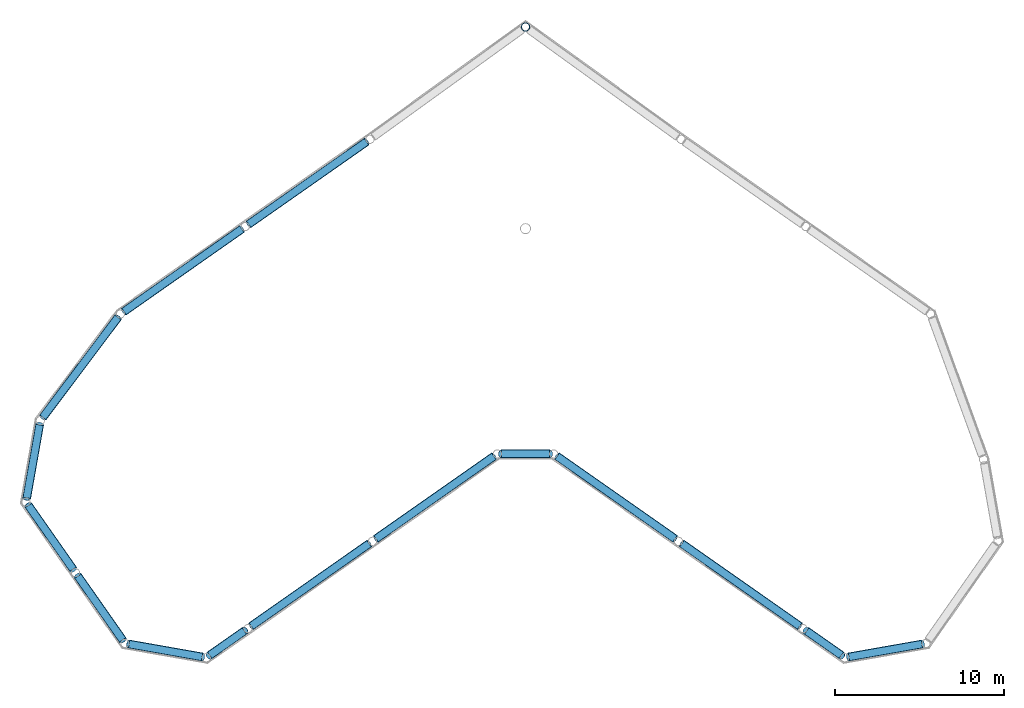
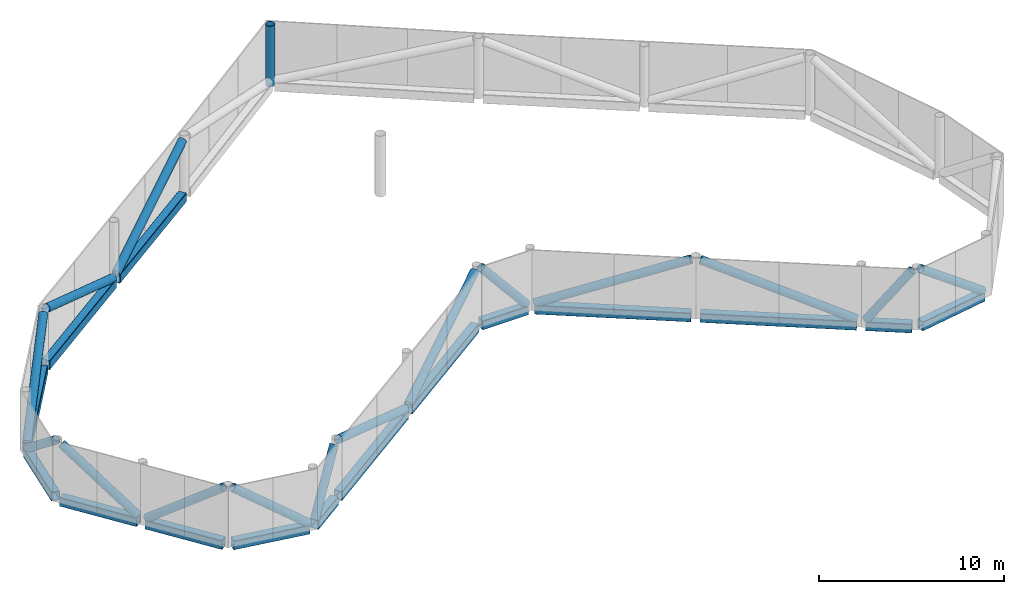
# One storey, part 2 of 4: 15 beams, 15 members, 1 column.
"""IFC4 building model written with IfcOpenShell, lengths in metres."""

from ifc_helpers import new_model, si_unit, direction, frame, origin, origin_2d, place, context, subcontext, project, spatial, hollow_rectangle, hollow_circle, extrude, material, material_profile, profile_set, type_object, element, save


model = new_model("IFC4")

# Units and contexts
model_context = context("Model", 3, precision=1e-05, world=origin(), true_north=direction((0.0, 1.0)))
body_context = subcontext(model_context, "Body", "Model", "MODEL_VIEW")
ifc_project = project(units=[si_unit("LENGTHUNIT", "METRE"), si_unit("AREAUNIT", "SQUARE_METRE"), si_unit("VOLUMEUNIT", "CUBIC_METRE"), si_unit("PLANEANGLEUNIT", "RADIAN"), si_unit("MASSUNIT", "GRAM", prefix="KILO")], contexts=[model_context])

# Site, building, storey
site_placement = place(None, origin())
site = spatial("IfcSite", under=ifc_project, at=site_placement, CompositionType="ELEMENT")
building_placement = place(site_placement, origin())
building = spatial("IfcBuilding", under=site, at=building_placement, Name="Tel Ilan Convention Tower", CompositionType="ELEMENT")
storey_placement = place(building_placement, frame((0.0, 0.0, 322.800048828125)))
storey = spatial("IfcBuildingStorey", under=building, at=storey_placement, Name="L76", CompositionType="ELEMENT", Elevation=322.800048828125)

# Column
ifc_material_1 = material(Name="Steel S355", Category="steel")
ifc_material_profile_1 = material_profile(ifc_material_1, hollow_circle(Radius=0.25390625, WallThickness=0.02490234375, at=origin_2d()), Name="CHS 508x25")
ifc_profile_set_1 = profile_set([ifc_material_profile_1], Name="Steel S355")
column_type = type_object("IfcColumnType", Name="CROWN FRAME COLUMN CHS 508x25", PredefinedType="COLUMN", material=ifc_profile_set_1)
column_placement = place(storey_placement, frame((0.0, 11.91796875, 0.0), z_axis=(0.0, 0.0, 1.0), x_axis=(1.0, 0.0, 0.0)))
element("IfcColumn", 1, at=column_placement, inside=storey, type_object=column_type, Name="CROWN FRAME column", PredefinedType="COLUMN", context=body_context, shape_type="SweptSolid", body=[
    extrude(hollow_circle(Radius=0.25390625, WallThickness=0.02490234375, at=origin_2d()), origin(), (0.0, 0.0, 1.0), 4.0),
])

# Members
ifc_material_2 = material(Name="Steel S355", Category="steel")
ifc_material_profile_2 = material_profile(ifc_material_2, hollow_circle(Radius=0.25390625, WallThickness=0.01611328125, at=origin_2d()), Name="CHS 508x16")
ifc_profile_set_2 = profile_set([ifc_material_profile_2], Name="Steel S355")
member_type = type_object("IfcMemberType", Name="CROWN FRAME BRACE CHS 508x16", PredefinedType="BRACE", material=ifc_profile_set_2)
member_1_placement = place(storey_placement, frame((-18.658935546875, -25.212158203125, 0.300048828125), z_axis=(0.484197231699, 0.339111817177, 0.806570651751), x_axis=(-0.573659598331, 0.819093807352, 0.0)))
element("IfcMember", 2, at=member_1_placement, inside=storey, type_object=member_type, Name="CROWN FRAME brace", PredefinedType="BRACE", context=body_context, shape_type="SweptSolid", body=[
    extrude(hollow_circle(Radius=0.25390625, WallThickness=0.01611328125, at=origin_2d()), origin(), (0.0, 0.0, 1.0), 4.21533203125),
])
member_2_placement = place(storey_placement, frame((-16.201904296875, -23.4912109375, 3.699951171875), z_axis=(0.760457085565, 0.532488114036, -0.371700725618), x_axis=(-0.573583902989, 0.819146816042, 0.0)))
element("IfcMember", 3, at=member_2_placement, inside=storey, type_object=member_type, Name="CROWN FRAME brace", PredefinedType="BRACE", context=body_context, shape_type="SweptSolid", body=[
    extrude(hollow_circle(Radius=0.25390625, WallThickness=0.01611328125, at=origin_2d()), origin(), (0.0, 0.0, 1.0), 9.14697265625),
])
member_3_placement = place(storey_placement, frame((-8.829833984375, -18.329345703125, 0.300048828125), z_axis=(0.760502103222, 0.532444883638, 0.37167054885), x_axis=(-0.57352987213, 0.819184646935, 0.0)))
element("IfcMember", 4, at=member_3_placement, inside=storey, type_object=member_type, Name="CROWN FRAME brace", PredefinedType="BRACE", context=body_context, shape_type="SweptSolid", body=[
    extrude(hollow_circle(Radius=0.25390625, WallThickness=0.01611328125, at=origin_2d()), origin(), (0.0, 0.0, 1.0), 9.147705078125),
])
member_4_placement = place(storey_placement, frame((-1.410888671875, -13.31298828125, 3.699951171875), z_axis=(0.6386504471, 0.0, -0.769496982723), x_axis=(0.0, 1.0, 0.0)))
element("IfcMember", 5, at=member_4_placement, inside=storey, type_object=member_type, Name="CROWN FRAME brace", PredefinedType="BRACE", context=body_context, shape_type="SweptSolid", body=[
    extrude(hollow_circle(Radius=0.25390625, WallThickness=0.01611328125, at=origin_2d()), origin(), (0.0, 0.0, 1.0), 4.41845703125),
])
member_5_placement = place(storey_placement, frame((1.873046875, -13.458740234375, 0.300048828125), z_axis=(0.760502103222, -0.532444883638, 0.37167054885), x_axis=(0.57352987213, 0.819184646935, 0.0)))
element("IfcMember", 6, at=member_5_placement, inside=storey, type_object=member_type, Name="CROWN FRAME brace", PredefinedType="BRACE", context=body_context, shape_type="SweptSolid", body=[
    extrude(hollow_circle(Radius=0.25390625, WallThickness=0.01611328125, at=origin_2d()), origin(), (0.0, 0.0, 1.0), 9.147705078125),
])
member_6_placement = place(storey_placement, frame((9.24609375, -18.62060546875, 3.699951171875), z_axis=(0.760457085565, -0.532488114036, -0.371700725618), x_axis=(0.573583902989, 0.819146816042, 0.0)))
element("IfcMember", 7, at=member_6_placement, inside=storey, type_object=member_type, Name="CROWN FRAME brace", PredefinedType="BRACE", context=body_context, shape_type="SweptSolid", body=[
    extrude(hollow_circle(Radius=0.25390625, WallThickness=0.01611328125, at=origin_2d()), origin(), (0.0, 0.0, 1.0), 9.14697265625),
])
member_7_placement = place(storey_placement, frame((16.617919921875, -23.78271484375, 0.300048828125), z_axis=(0.484197231699, -0.339111817177, 0.806570651751), x_axis=(0.573659598331, 0.819093807352, 0.0)))
element("IfcMember", 8, at=member_7_placement, inside=storey, type_object=member_type, Name="CROWN FRAME brace", PredefinedType="BRACE", context=body_context, shape_type="SweptSolid", body=[
    extrude(hollow_circle(Radius=0.25390625, WallThickness=0.01611328125, at=origin_2d()), origin(), (0.0, 0.0, 1.0), 4.21533203125),
])
member_8_placement = place(storey_placement, frame((19.1171875, -25.31396484375, 3.699951171875), z_axis=(0.777350873367, 0.137023962932, -0.613962582946), x_axis=(-0.173594152601, 0.984817277561, 0.0)))
element("IfcMember", 9, at=member_8_placement, inside=storey, type_object=member_type, Name="CROWN FRAME brace", PredefinedType="BRACE", context=body_context, shape_type="SweptSolid", body=[
    extrude(hollow_circle(Radius=0.25390625, WallThickness=0.01611328125, at=origin_2d()), origin(), (0.0, 0.0, 1.0), 5.53759765625),
])
member_9_placement = place(storey_placement, frame((-9.401123046875, 5.13720703125, 3.699951171875), z_axis=(-0.760457085565, -0.532488114036, -0.371700725618), x_axis=(0.573583902989, -0.819146816042, 0.0)))
element("IfcMember", 10, at=member_9_placement, inside=storey, type_object=member_type, Name="CROWN FRAME brace", PredefinedType="BRACE", context=body_context, shape_type="SweptSolid", body=[
    extrude(hollow_circle(Radius=0.25390625, WallThickness=0.01611328125, at=origin_2d()), origin(), (0.0, 0.0, 1.0), 9.14697265625),
])
member_10_placement = place(storey_placement, frame((-16.77294921875, -0.024658203125, 0.300048828125), z_axis=(-0.760425108847, -0.532553791307, 0.371672050604), x_axis=(0.573647554936, -0.819102241918, 0.0)))
element("IfcMember", 11, at=member_10_placement, inside=storey, type_object=member_type, Name="CROWN FRAME brace", PredefinedType="BRACE", context=body_context, shape_type="SweptSolid", body=[
    extrude(hollow_circle(Radius=0.25390625, WallThickness=0.01611328125, at=origin_2d()), origin(), (0.0, 0.0, 1.0), 9.147705078125),
])
member_11_placement = place(storey_placement, frame((-24.089599609375, -5.2451171875, 3.699951171875), z_axis=(-0.54556047467, -0.726192330526, -0.418340133818), x_axis=(0.799515545431, -0.600645396731, 0.0)))
element("IfcMember", 12, at=member_11_placement, inside=storey, type_object=member_type, Name="CROWN FRAME brace", PredefinedType="BRACE", context=body_context, shape_type="SweptSolid", body=[
    extrude(hollow_circle(Radius=0.25390625, WallThickness=0.01611328125, at=origin_2d()), origin(), (0.0, 0.0, 1.0), 8.127197265625),
])
member_12_placement = place(storey_placement, frame((-28.72021484375, -11.60009765625, 0.300048828125), z_axis=(-0.137023962932, -0.777350873367, 0.613962582946), x_axis=(0.984817277561, -0.173594152601, 0.0)))
element("IfcMember", 13, at=member_12_placement, inside=storey, type_object=member_type, Name="CROWN FRAME brace", PredefinedType="BRACE", context=body_context, shape_type="SweptSolid", body=[
    extrude(hollow_circle(Radius=0.25390625, WallThickness=0.01611328125, at=origin_2d()), origin(), (0.0, 0.0, 1.0), 5.53759765625),
])
member_13_placement = place(storey_placement, frame((-29.37744140625, -16.363037109375, 3.699951171875), z_axis=(0.460944959569, -0.658389032443, -0.59502405515), x_axis=(0.819189459192, 0.573522998622, 0.0)))
element("IfcMember", 14, at=member_13_placement, inside=storey, type_object=member_type, Name="CROWN FRAME brace", PredefinedType="BRACE", context=body_context, shape_type="SweptSolid", body=[
    extrude(hollow_circle(Radius=0.25390625, WallThickness=0.01611328125, at=origin_2d()), origin(), (0.0, 0.0, 1.0), 5.7138671875),
])
member_14_placement = place(storey_placement, frame((-26.452392578125, -20.541015625, 0.300048828125), z_axis=(0.461079540574, -0.658337160924, 0.594977175873), x_axis=(0.819089549842, 0.573665677324, 0.0)))
element("IfcMember", 15, at=member_14_placement, inside=storey, type_object=member_type, Name="CROWN FRAME brace", PredefinedType="BRACE", context=body_context, shape_type="SweptSolid", body=[
    extrude(hollow_circle(Radius=0.25390625, WallThickness=0.01611328125, at=origin_2d()), origin(), (0.0, 0.0, 1.0), 5.71435546875),
])
member_15_placement = place(storey_placement, frame((-23.421875, -24.55517578125, 3.699951171875), z_axis=(0.777350873367, -0.137023962932, -0.613962582946), x_axis=(0.173594152601, 0.984817277561, 0.0)))
element("IfcMember", 16, at=member_15_placement, inside=storey, type_object=member_type, Name="CROWN FRAME brace", PredefinedType="BRACE", context=body_context, shape_type="SweptSolid", body=[
    extrude(hollow_circle(Radius=0.25390625, WallThickness=0.01611328125, at=origin_2d()), origin(), (0.0, 0.0, 1.0), 5.53759765625),
])

# Beams
ifc_material_3 = material(Name="Steel S355", Category="steel")
ifc_material_profile_3 = material_profile(ifc_material_3, hollow_rectangle(XDim=0.5, YDim=0.60009765625, WallThickness=0.02490234375, InnerFilletRadius=0.02490234375, OuterFilletRadius=0.050048828125, at=origin_2d()), Name="RHS 600x500x25")
ifc_profile_set_3 = profile_set([ifc_material_profile_3], Name="Steel S355")
beam_type = type_object("IfcBeamType", Name="CROWN FRAME RING BEAM RHS 600x500x25", PredefinedType="BEAM", material=ifc_profile_set_3)
beam_1_placement = place(storey_placement, frame((-18.658935546875, -25.212158203125, 0.0), z_axis=(0.819093807352, 0.573659598331, 0.0), x_axis=(-0.573659598331, 0.819093807352, 0.0)))
element("IfcBeam", 17, at=beam_1_placement, inside=storey, type_object=beam_type, Name="CROWN FRAME ring beam", PredefinedType="BEAM", context=body_context, shape_type="SweptSolid", body=[
    extrude(hollow_rectangle(XDim=0.5, YDim=0.60009765625, WallThickness=0.02490234375, InnerFilletRadius=0.02490234375, OuterFilletRadius=0.050048828125, at=origin_2d()), origin(), (0.0, 0.0, 1.0), 2.49169921875),
])
beam_2_placement = place(storey_placement, frame((-16.201904296875, -23.4912109375, 0.0), z_axis=(0.819146816042, 0.573583902989, 0.0), x_axis=(-0.573583902989, 0.819146816042, 0.0)))
element("IfcBeam", 18, at=beam_2_placement, inside=storey, type_object=beam_type, Name="CROWN FRAME ring beam", PredefinedType="BEAM", context=body_context, shape_type="SweptSolid", body=[
    extrude(hollow_rectangle(XDim=0.5, YDim=0.60009765625, WallThickness=0.02490234375, InnerFilletRadius=0.02490234375, OuterFilletRadius=0.050048828125, at=origin_2d()), origin(), (0.0, 0.0, 1.0), 8.491455078125),
])
beam_3_placement = place(storey_placement, frame((-8.829833984375, -18.329345703125, 0.0), z_axis=(0.819184646935, 0.57352987213, 0.0), x_axis=(-0.57352987213, 0.819184646935, 0.0)))
element("IfcBeam", 19, at=beam_3_placement, inside=storey, type_object=beam_type, Name="CROWN FRAME ring beam", PredefinedType="BEAM", context=body_context, shape_type="SweptSolid", body=[
    extrude(hollow_rectangle(XDim=0.5, YDim=0.60009765625, WallThickness=0.02490234375, InnerFilletRadius=0.02490234375, OuterFilletRadius=0.050048828125, at=origin_2d()), origin(), (0.0, 0.0, 1.0), 8.492431640625),
])
beam_4_placement = place(storey_placement, frame((-1.410888671875, -13.31298828125, 0.0), z_axis=(1.0, 0.0, 0.0), x_axis=(0.0, 1.0, 0.0)))
element("IfcBeam", 20, at=beam_4_placement, inside=storey, type_object=beam_type, Name="CROWN FRAME ring beam", PredefinedType="BEAM", context=body_context, shape_type="SweptSolid", body=[
    extrude(hollow_rectangle(XDim=0.5, YDim=0.60009765625, WallThickness=0.02490234375, InnerFilletRadius=0.02490234375, OuterFilletRadius=0.050048828125, at=origin_2d()), origin(), (0.0, 0.0, 1.0), 2.82177734375),
])
beam_5_placement = place(storey_placement, frame((1.873046875, -13.458740234375, 0.0), z_axis=(0.819184646935, -0.57352987213, 0.0), x_axis=(0.57352987213, 0.819184646935, 0.0)))
element("IfcBeam", 21, at=beam_5_placement, inside=storey, type_object=beam_type, Name="CROWN FRAME ring beam", PredefinedType="BEAM", context=body_context, shape_type="SweptSolid", body=[
    extrude(hollow_rectangle(XDim=0.5, YDim=0.60009765625, WallThickness=0.02490234375, InnerFilletRadius=0.02490234375, OuterFilletRadius=0.050048828125, at=origin_2d()), origin(), (0.0, 0.0, 1.0), 8.492431640625),
])
beam_6_placement = place(storey_placement, frame((9.24609375, -18.62060546875, 0.0), z_axis=(0.819146816042, -0.573583902989, 0.0), x_axis=(0.573583902989, 0.819146816042, 0.0)))
element("IfcBeam", 22, at=beam_6_placement, inside=storey, type_object=beam_type, Name="CROWN FRAME ring beam", PredefinedType="BEAM", context=body_context, shape_type="SweptSolid", body=[
    extrude(hollow_rectangle(XDim=0.5, YDim=0.60009765625, WallThickness=0.02490234375, InnerFilletRadius=0.02490234375, OuterFilletRadius=0.050048828125, at=origin_2d()), origin(), (0.0, 0.0, 1.0), 8.491455078125),
])
beam_7_placement = place(storey_placement, frame((16.617919921875, -23.78271484375, 0.0), z_axis=(0.819093807352, -0.573659598331, 0.0), x_axis=(0.573659598331, 0.819093807352, 0.0)))
element("IfcBeam", 23, at=beam_7_placement, inside=storey, type_object=beam_type, Name="CROWN FRAME ring beam", PredefinedType="BEAM", context=body_context, shape_type="SweptSolid", body=[
    extrude(hollow_rectangle(XDim=0.5, YDim=0.60009765625, WallThickness=0.02490234375, InnerFilletRadius=0.02490234375, OuterFilletRadius=0.050048828125, at=origin_2d()), origin(), (0.0, 0.0, 1.0), 2.49169921875),
])
beam_8_placement = place(storey_placement, frame((19.1171875, -25.31396484375, 0.0), z_axis=(0.984817277561, 0.173594152601, 0.0), x_axis=(-0.173594152601, 0.984817277561, 0.0)))
element("IfcBeam", 24, at=beam_8_placement, inside=storey, type_object=beam_type, Name="CROWN FRAME ring beam", PredefinedType="BEAM", context=body_context, shape_type="SweptSolid", body=[
    extrude(hollow_rectangle(XDim=0.5, YDim=0.60009765625, WallThickness=0.02490234375, InnerFilletRadius=0.02490234375, OuterFilletRadius=0.050048828125, at=origin_2d()), origin(), (0.0, 0.0, 1.0), 4.37109375),
])
beam_9_placement = place(storey_placement, frame((-9.401123046875, 5.13720703125, 0.0), z_axis=(-0.819146816042, -0.573583902989, 0.0), x_axis=(0.573583902989, -0.819146816042, 0.0)))
element("IfcBeam", 25, at=beam_9_placement, inside=storey, type_object=beam_type, Name="CROWN FRAME ring beam", PredefinedType="BEAM", context=body_context, shape_type="SweptSolid", body=[
    extrude(hollow_rectangle(XDim=0.5, YDim=0.60009765625, WallThickness=0.02490234375, InnerFilletRadius=0.02490234375, OuterFilletRadius=0.050048828125, at=origin_2d()), origin(), (0.0, 0.0, 1.0), 8.491455078125),
])
beam_10_placement = place(storey_placement, frame((-16.77294921875, -0.024658203125, 0.0), z_axis=(-0.819102241918, -0.573647554936, 0.0), x_axis=(0.573647554936, -0.819102241918, 0.0)))
element("IfcBeam", 26, at=beam_10_placement, inside=storey, type_object=beam_type, Name="CROWN FRAME ring beam", PredefinedType="BEAM", context=body_context, shape_type="SweptSolid", body=[
    extrude(hollow_rectangle(XDim=0.5, YDim=0.60009765625, WallThickness=0.02490234375, InnerFilletRadius=0.02490234375, OuterFilletRadius=0.050048828125, at=origin_2d()), origin(), (0.0, 0.0, 1.0), 8.4921875),
])
beam_11_placement = place(storey_placement, frame((-24.089599609375, -5.2451171875, 0.0), z_axis=(-0.600645396731, -0.799515545431, 0.0), x_axis=(0.799515545431, -0.600645396731, 0.0)))
element("IfcBeam", 27, at=beam_11_placement, inside=storey, type_object=beam_type, Name="CROWN FRAME ring beam", PredefinedType="BEAM", context=body_context, shape_type="SweptSolid", body=[
    extrude(hollow_rectangle(XDim=0.5, YDim=0.60009765625, WallThickness=0.02490234375, InnerFilletRadius=0.02490234375, OuterFilletRadius=0.050048828125, at=origin_2d()), origin(), (0.0, 0.0, 1.0), 7.3818359375),
])
beam_12_placement = place(storey_placement, frame((-28.72021484375, -11.60009765625, 0.0), z_axis=(-0.173594152601, -0.984817277561, 0.0), x_axis=(0.984817277561, -0.173594152601, 0.0)))
element("IfcBeam", 28, at=beam_12_placement, inside=storey, type_object=beam_type, Name="CROWN FRAME ring beam", PredefinedType="BEAM", context=body_context, shape_type="SweptSolid", body=[
    extrude(hollow_rectangle(XDim=0.5, YDim=0.60009765625, WallThickness=0.02490234375, InnerFilletRadius=0.02490234375, OuterFilletRadius=0.050048828125, at=origin_2d()), origin(), (0.0, 0.0, 1.0), 4.37109375),
])
beam_13_placement = place(storey_placement, frame((-29.37744140625, -16.363037109375, 0.0), z_axis=(0.573522998622, -0.819189459192, 0.0), x_axis=(0.819189459192, 0.573522998622, 0.0)))
element("IfcBeam", 29, at=beam_13_placement, inside=storey, type_object=beam_type, Name="CROWN FRAME ring beam", PredefinedType="BEAM", context=body_context, shape_type="SweptSolid", body=[
    extrude(hollow_rectangle(XDim=0.5, YDim=0.60009765625, WallThickness=0.02490234375, InnerFilletRadius=0.02490234375, OuterFilletRadius=0.050048828125, at=origin_2d()), origin(), (0.0, 0.0, 1.0), 4.59228515625),
])
beam_14_placement = place(storey_placement, frame((-26.452392578125, -20.541015625, 0.0), z_axis=(0.573665677324, -0.819089549842, 0.0), x_axis=(0.819089549842, 0.573665677324, 0.0)))
element("IfcBeam", 30, at=beam_14_placement, inside=storey, type_object=beam_type, Name="CROWN FRAME ring beam", PredefinedType="BEAM", context=body_context, shape_type="SweptSolid", body=[
    extrude(hollow_rectangle(XDim=0.5, YDim=0.60009765625, WallThickness=0.02490234375, InnerFilletRadius=0.02490234375, OuterFilletRadius=0.050048828125, at=origin_2d()), origin(), (0.0, 0.0, 1.0), 4.5927734375),
])
beam_15_placement = place(storey_placement, frame((-23.421875, -24.55517578125, 0.0), z_axis=(0.984817277561, -0.173594152601, 0.0), x_axis=(0.173594152601, 0.984817277561, 0.0)))
element("IfcBeam", 31, at=beam_15_placement, inside=storey, type_object=beam_type, Name="CROWN FRAME ring beam", PredefinedType="BEAM", context=body_context, shape_type="SweptSolid", body=[
    extrude(hollow_rectangle(XDim=0.5, YDim=0.60009765625, WallThickness=0.02490234375, InnerFilletRadius=0.02490234375, OuterFilletRadius=0.050048828125, at=origin_2d()), origin(), (0.0, 0.0, 1.0), 4.37109375),
])

save(model, "model.ifc")
